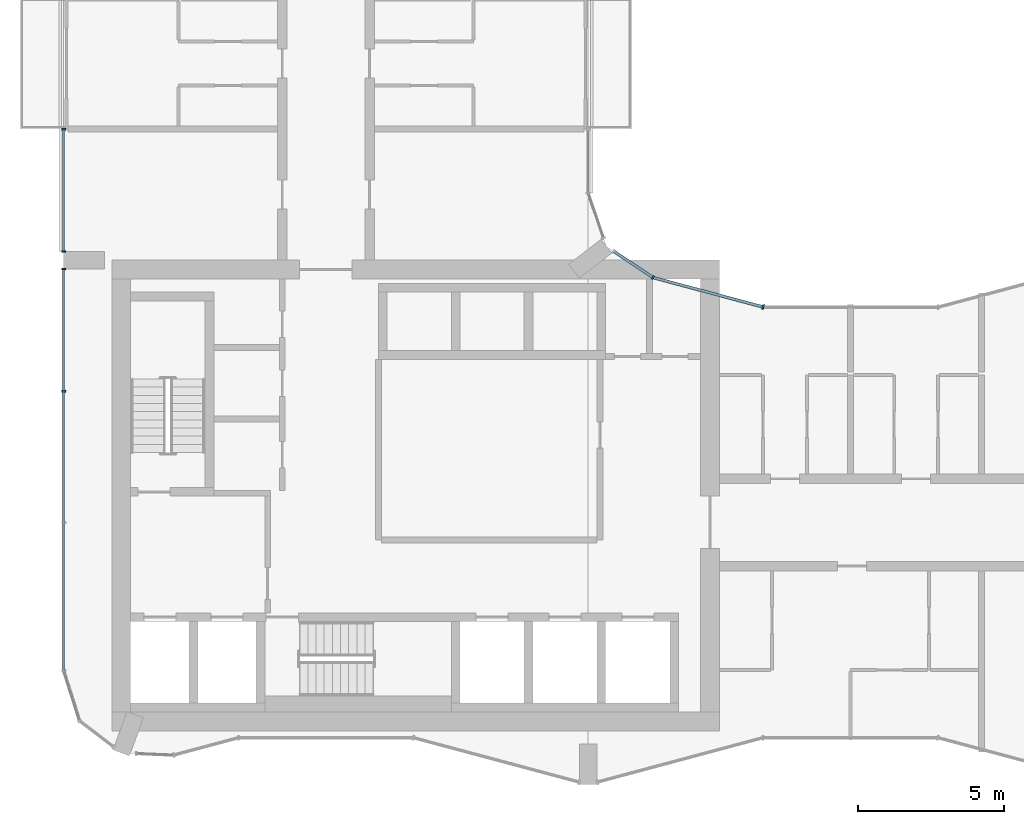
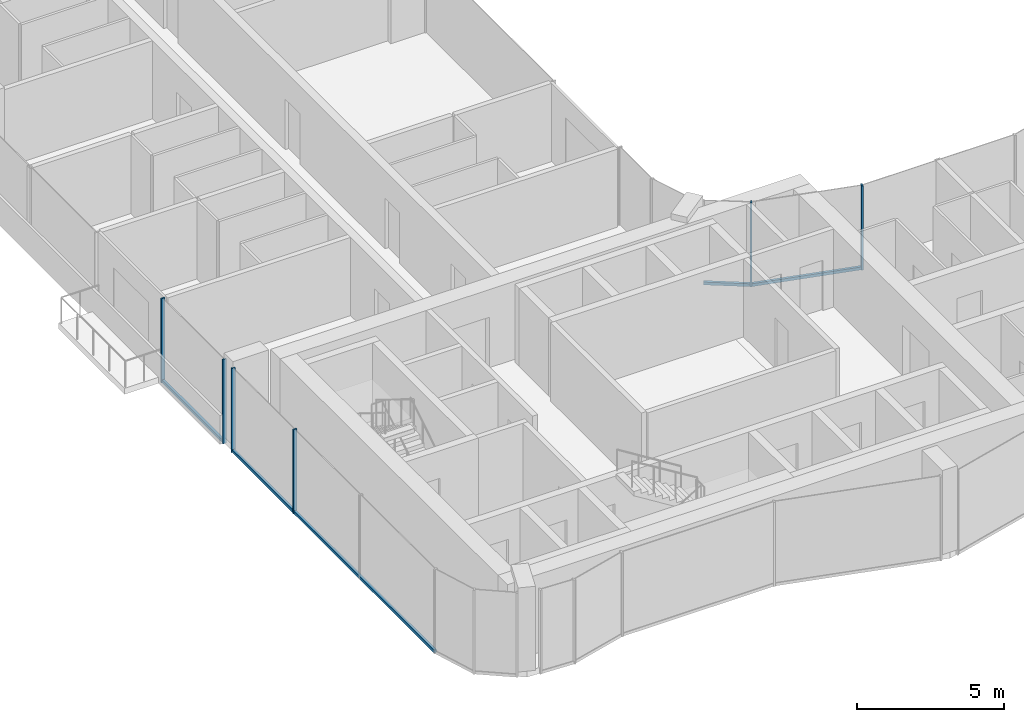
# One storey, part 3 of 22: 10 members, 4 elements without a shape of their own.
"""IFC4 building model written with IfcOpenShell, lengths in metres."""

from ifc_helpers import new_model, si_unit, direction, frame, origin, origin_2d, place, context, subcontext, project, spatial, rectangle, extrude, material, layer, layer_set, material_profile, profile_set, type_object, element, aggregate, save


model = new_model("IFC4")

# Units and contexts
model_context = context("Model", 3, precision=1e-05, world=origin(), true_north=direction((0.0, 1.0)))
body_context = subcontext(model_context, "Body", "Model", "MODEL_VIEW")
ifc_project = project(units=[si_unit("LENGTHUNIT", "METRE"), si_unit("AREAUNIT", "SQUARE_METRE"), si_unit("VOLUMEUNIT", "CUBIC_METRE"), si_unit("PLANEANGLEUNIT", "RADIAN"), si_unit("MASSUNIT", "GRAM", prefix="KILO")], contexts=[model_context])

# Site, building, storey
site_placement = place(None, origin())
site = spatial("IfcSite", under=ifc_project, at=site_placement, CompositionType="ELEMENT")
building_placement = place(site_placement, origin())
building = spatial("IfcBuilding", under=site, at=building_placement, Name="Plateau Cross Towers", CompositionType="ELEMENT")
storey_placement = place(building_placement, frame((0.0, 0.0, 106.300048828125)))
storey = spatial("IfcBuildingStorey", under=building, at=storey_placement, Name="L27", CompositionType="ELEMENT", Elevation=106.300048828125)

# Curtain wall, member
ifc_material_1 = material(Name="Dark low-iron glass", Category="glass")
ifc_layer_1 = layer(ifc_material_1, 0.239990234375)
ifc_layer_set_1 = layer_set([ifc_layer_1], Name="Dark low-iron glass")
curtain_wall_type_1 = type_object("IfcCurtainWallType", Name="Curtain wall flush unitised CW-B", PredefinedType="NOTDEFINED", material=ifc_layer_set_1)
curtain_wall_1_placement = place(storey_placement, origin())
curtain_wall_1 = element("IfcCurtainWall", 1, at=curtain_wall_1_placement, inside=storey, type_object=curtain_wall_type_1, Name="ENV/A/L27/A202_174", PredefinedType="NOTDEFINED")
ifc_material_2 = material(Name="Black anodised aluminium", Category="aluminium")
ifc_material_profile_1 = material_profile(ifc_material_2, rectangle(XDim=0.06005859375, YDim=0.139892578125, at=origin_2d()), Name="MULLION 60x140")
ifc_profile_set_1 = profile_set([ifc_material_profile_1], Name="Black anodised aluminium")
member_type_1 = type_object("IfcMemberType", Name="Mullion 60x140 flush unitised", PredefinedType="MULLION", material=ifc_profile_set_1)
member_1_placement = place(storey_placement, frame((20.223876953125, 17.404296875, -0.25), z_axis=(0.0, 0.0, 1.0), x_axis=(-0.831521253329, 0.555492938984, 0.0)))
member_1 = element("IfcMember", 2, at=member_1_placement, type_object=member_type_1, Name="CW-B mullion 1", PredefinedType="MULLION", context=body_context, shape_type="SweptSolid", body=[
    extrude(rectangle(XDim=0.06005859375, YDim=0.139892578125, at=origin_2d()), origin(), (0.0, 0.0, 1.0), 3.5),
])

# Curtain wall, members
curtain_wall_2_placement = place(storey_placement, origin())
curtain_wall_2 = element("IfcCurtainWall", 3, at=curtain_wall_2_placement, inside=storey, type_object=curtain_wall_type_1, Name="ENV/A/L27/A0_225", PredefinedType="NOTDEFINED")
member_2_placement = place(storey_placement, frame((0.0, 22.489990234375, -0.25), z_axis=(0.0, 0.0, 1.0), x_axis=(0.0, -1.0, 0.0)))
member_2 = element("IfcMember", 4, at=member_2_placement, type_object=member_type_1, Name="CW-B mullion 1", PredefinedType="MULLION", context=body_context, shape_type="SweptSolid", body=[
    extrude(rectangle(XDim=0.06005859375, YDim=0.139892578125, at=origin_2d()), origin(), (0.0, 0.0, 1.0), 3.5),
])
member_3_placement = place(storey_placement, frame((0.0, 18.300048828125, -0.25), z_axis=(0.0, 0.0, 1.0), x_axis=(0.0, -1.0, 0.0)))
member_3 = element("IfcMember", 5, at=member_3_placement, type_object=member_type_1, Name="CW-B mullion 2", PredefinedType="MULLION", context=body_context, shape_type="SweptSolid", body=[
    extrude(rectangle(XDim=0.06005859375, YDim=0.139892578125, at=origin_2d()), origin(), (0.0, 0.0, 1.0), 3.5),
])

curtain_wall_3_placement = place(storey_placement, origin())
curtain_wall_3 = element("IfcCurtainWall", 6, at=curtain_wall_3_placement, inside=storey, type_object=curtain_wall_type_1, Name="ENV/A/L27/A0_177", PredefinedType="NOTDEFINED")
member_4_placement = place(storey_placement, frame((0.0, 17.699951171875, -0.25), z_axis=(0.0, 0.0, 1.0), x_axis=(0.0, -1.0, 0.0)))
member_4 = element("IfcMember", 7, at=member_4_placement, type_object=member_type_1, Name="CW-B mullion 1", PredefinedType="MULLION", context=body_context, shape_type="SweptSolid", body=[
    extrude(rectangle(XDim=0.06005859375, YDim=0.139892578125, at=origin_2d()), origin(), (0.0, 0.0, 1.0), 3.5),
])
member_5_placement = place(storey_placement, frame((0.0, 13.5, -0.25), z_axis=(0.0, 0.0, 1.0), x_axis=(0.0, -1.0, 0.0)))
member_5 = element("IfcMember", 8, at=member_5_placement, type_object=member_type_1, Name="CW-B mullion 2", PredefinedType="MULLION", context=body_context, shape_type="SweptSolid", body=[
    extrude(rectangle(XDim=0.06005859375, YDim=0.139892578125, at=origin_2d()), origin(), (0.0, 0.0, 1.0), 3.5),
])

# Curtain wall, member
ifc_layer_2 = layer(ifc_material_1, 0.260009765625)
ifc_layer_set_2 = layer_set([ifc_layer_2], Name="Dark low-iron glass")
curtain_wall_type_2 = type_object("IfcCurtainWallType", Name="Curtain wall fluted unitised CW-A", PredefinedType="NOTDEFINED", material=ifc_layer_set_2)
curtain_wall_4_placement = place(storey_placement, origin())
curtain_wall_4 = element("IfcCurtainWall", 9, at=curtain_wall_4_placement, inside=storey, type_object=curtain_wall_type_2, Name="ENV/A/L27/A240_164", PredefinedType="NOTDEFINED")
ifc_material_profile_2 = material_profile(ifc_material_2, rectangle(XDim=0.06005859375, YDim=0.159912109375, at=origin_2d()), Name="MULLION 60x160")
ifc_profile_set_2 = profile_set([ifc_material_profile_2], Name="Black anodised aluminium")
member_type_2 = type_object("IfcMemberType", Name="Mullion 60x160 fluted unitised", PredefinedType="MULLION", material=ifc_profile_set_2)
member_6_placement = place(storey_placement, frame((24.0, 16.39306640625, -0.25), z_axis=(0.0, 0.0, 1.0), x_axis=(-0.965957995816, 0.258698956933, 0.0)))
member_6 = element("IfcMember", 10, at=member_6_placement, type_object=member_type_2, Name="CW-A mullion 1", PredefinedType="MULLION", context=body_context, shape_type="SweptSolid", body=[
    extrude(rectangle(XDim=0.06005859375, YDim=0.159912109375, at=origin_2d()), origin(), (0.0, 0.0, 1.0), 3.5),
])

# Member
ifc_material_profile_3 = material_profile(ifc_material_2, rectangle(XDim=0.10009765625, YDim=0.1201171875, at=origin_2d()), Name="TRANSOM 100x120")
ifc_profile_set_3 = profile_set([ifc_material_profile_3], Name="Black anodised aluminium")
member_type_3 = type_object("IfcMemberType", Name="Transom 100x120 flush unitised", PredefinedType="USERDEFINED", material=ifc_profile_set_3)
member_7_placement = place(storey_placement, frame((20.223876953125, 17.404296875, -0.18994140625), z_axis=(-0.831496402487, 0.555530136582, 0.0), x_axis=(-0.555530136582, -0.831496402487, 0.0)))
member_7 = element("IfcMember", 11, at=member_7_placement, type_object=member_type_3, Name="CW-B transom", ObjectType="TRANSOM", PredefinedType="USERDEFINED", context=body_context, shape_type="SweptSolid", body=[
    extrude(rectangle(XDim=0.10009765625, YDim=0.1201171875, at=origin_2d()), origin(), (0.0, 0.0, 1.0), 1.628662109375),
])

aggregate(curtain_wall_1, [member_1, member_7])

member_8_placement = place(storey_placement, frame((0.0, 22.489990234375, -0.18994140625), z_axis=(0.0, -1.0, 0.0), x_axis=(1.0, 0.0, 0.0)))
member_8 = element("IfcMember", 12, at=member_8_placement, type_object=member_type_3, Name="CW-B transom", ObjectType="TRANSOM", PredefinedType="USERDEFINED", context=body_context, shape_type="SweptSolid", body=[
    extrude(rectangle(XDim=0.10009765625, YDim=0.1201171875, at=origin_2d()), origin(), (0.0, 0.0, 1.0), 4.18994140625),
])

aggregate(curtain_wall_2, [member_2, member_3, member_8])

member_9_placement = place(storey_placement, frame((0.0, 17.699951171875, -0.18994140625), z_axis=(0.0, -1.0, 0.0), x_axis=(1.0, 0.0, 0.0)))
member_9 = element("IfcMember", 13, at=member_9_placement, type_object=member_type_3, Name="CW-B transom", ObjectType="TRANSOM", PredefinedType="USERDEFINED", context=body_context, shape_type="SweptSolid", body=[
    extrude(rectangle(XDim=0.10009765625, YDim=0.1201171875, at=origin_2d()), origin(), (0.0, 0.0, 1.0), 13.790771484375),
])

aggregate(curtain_wall_3, [member_4, member_5, member_9])

ifc_material_profile_4 = material_profile(ifc_material_2, rectangle(XDim=0.10009765625, YDim=0.1201171875, at=origin_2d()), Name="TRANSOM 100x120")
ifc_profile_set_4 = profile_set([ifc_material_profile_4], Name="Black anodised aluminium")
member_type_4 = type_object("IfcMemberType", Name="Transom 100x120 fluted unitised", PredefinedType="USERDEFINED", material=ifc_profile_set_4)
member_10_placement = place(storey_placement, frame((24.0, 16.39306640625, -0.18994140625), z_axis=(-0.965962822393, 0.25868093427, 0.0), x_axis=(-0.25868093427, -0.965962822393, 0.0)))
member_10 = element("IfcMember", 14, at=member_10_placement, type_object=member_type_4, Name="CW-A transom", ObjectType="TRANSOM", PredefinedType="USERDEFINED", context=body_context, shape_type="SweptSolid", body=[
    extrude(rectangle(XDim=0.10009765625, YDim=0.1201171875, at=origin_2d()), origin(), (0.0, 0.0, 1.0), 3.9091796875),
])

aggregate(curtain_wall_4, [member_6, member_10])

save(model, "model.ifc")
